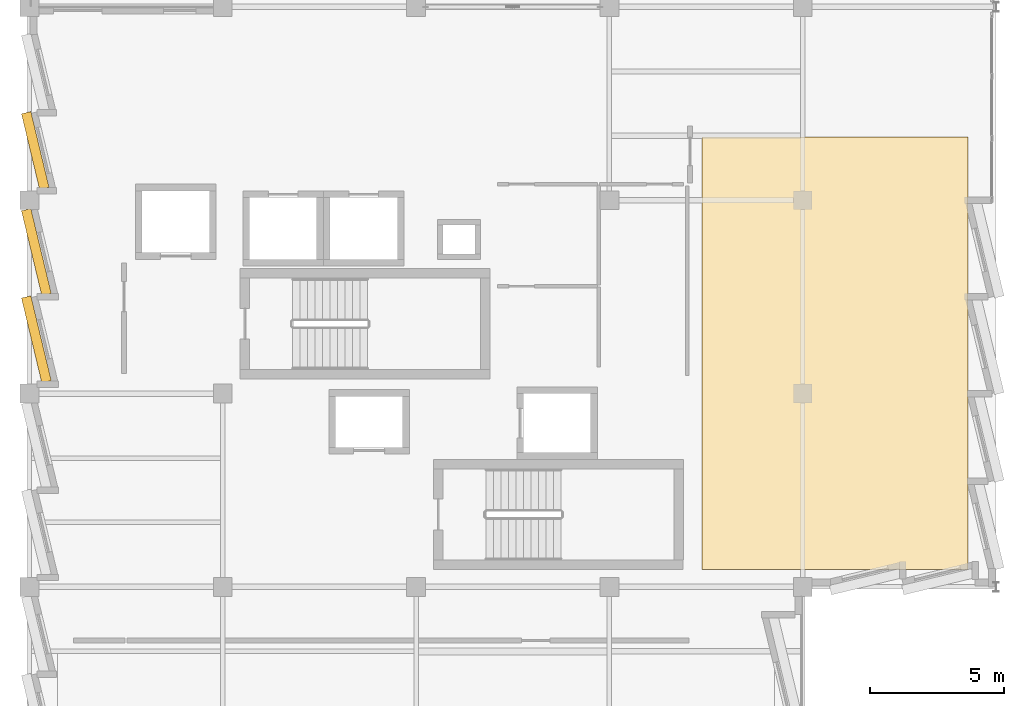
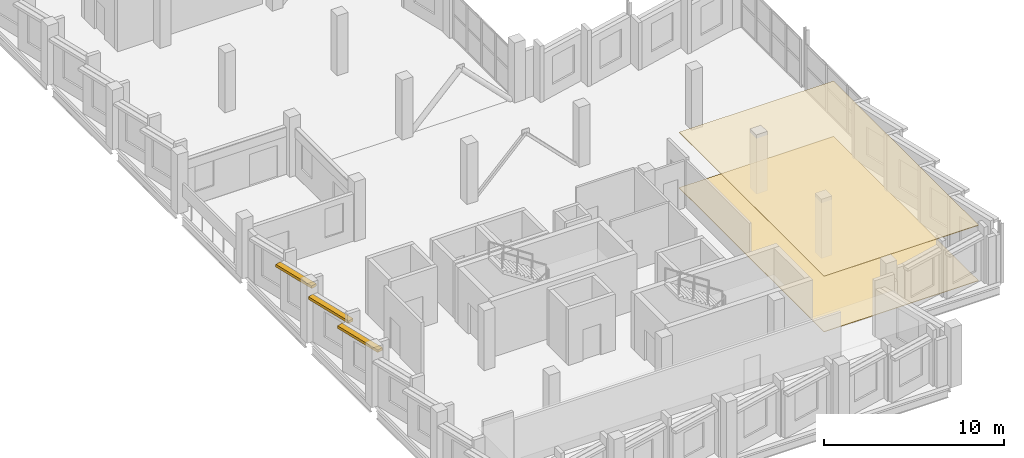
# One storey, part 29 of 33: 3 shading devices, 2 coverings.
"""IFC4 building model written with IfcOpenShell, lengths in metres."""

from ifc_helpers import new_model, si_unit, direction, frame, origin, origin_2d, place, context, subcontext, project, spatial, polyline, rectangle, outline, extrude, material, layer, layer_set, type_object, element, save


model = new_model("IFC4")

# Units and contexts
model_context = context("Model", 3, precision=1e-05, world=origin(), true_north=direction((0.0, 1.0)))
body_context = subcontext(model_context, "Body", "Model", "MODEL_VIEW")
ifc_project = project(units=[si_unit("LENGTHUNIT", "METRE"), si_unit("AREAUNIT", "SQUARE_METRE"), si_unit("VOLUMEUNIT", "CUBIC_METRE"), si_unit("PLANEANGLEUNIT", "RADIAN"), si_unit("MASSUNIT", "GRAM", prefix="KILO")], contexts=[model_context])

# Site, building, storey
site_placement = place(None, origin())
site = spatial("IfcSite", under=ifc_project, at=site_placement, CompositionType="ELEMENT")
building_placement = place(site_placement, origin())
building = spatial("IfcBuilding", under=site, at=building_placement, Name="Kalmorath City Hall", CompositionType="ELEMENT")
storey_placement = place(building_placement, frame((0.0, 0.0, 22.949951171875)))
storey = spatial("IfcBuildingStorey", under=building, at=storey_placement, Name="L05", CompositionType="ELEMENT", Elevation=22.949951171875)

# Coverings
ifc_material_1 = material(Name="Perforated acoustic gypsum ceiling")
ifc_layer_1 = layer(ifc_material_1, 0.0400390625)
ifc_layer_set_1 = layer_set([ifc_layer_1], Name="Perforated acoustic gypsum ceiling")
covering_type_1 = type_object("IfcCoveringType", Name="Perforated acoustic suspended ceiling 40", PredefinedType="CEILING", material=ifc_layer_set_1)
covering_1_placement = place(storey_placement, frame((0.0, 0.0, 3.760009765625)))
element("IfcCovering", 1, at=covering_1_placement, inside=storey, type_object=covering_type_1, Name="L05 Managing Director Cabinet Suite acoustic ceiling", PredefinedType="CEILING", context=body_context, shape_type="SweptSolid", body=[
    extrude(outline(polyline([(34.949951171875, 23.949951171875), (34.949951171875, 7.85009765625), (25.050048828125, 7.85009765625), (25.050048828125, 23.949951171875), (34.949951171875, 23.949951171875)])), origin(), (0.0, 0.0, 1.0), 0.0400390625),
])
ifc_material_2 = material(Name="Polished terrazzo finish")
ifc_layer_2 = layer(ifc_material_2, 0.034912109375)
ifc_layer_set_2 = layer_set([ifc_layer_2], Name="Polished terrazzo finish")
covering_type_2 = type_object("IfcCoveringType", Name="Polished civic terrazzo floor finish 35", PredefinedType="FLOORING", material=ifc_layer_set_2)
covering_2_placement = place(storey_placement, origin())
element("IfcCovering", 2, at=covering_2_placement, inside=storey, type_object=covering_type_2, Name="L05 Managing Director Cabinet Suite terrazzo flooring", PredefinedType="FLOORING", context=body_context, shape_type="SweptSolid", body=[
    extrude(outline(polyline([(34.949951171875, 23.949951171875), (34.949951171875, 7.85009765625), (25.050048828125, 7.85009765625), (25.050048828125, 23.949951171875), (34.949951171875, 23.949951171875)])), origin(), (0.0, 0.0, 1.0), 0.03515625),
])

# Shading devices
ifc_material_3 = material(Name="Precast concrete C40/50", Category="concrete")
ifc_layer_3 = layer(ifc_material_3, 0.179931640625)
ifc_layer_set_3 = layer_set([ifc_layer_3], Name="Precast concrete C40/50")
shading_device_type = type_object("IfcShadingDeviceType", Name="Precast sawtooth brow sunshade 350", PredefinedType="USERDEFINED", material=ifc_layer_set_3)
for number, where, z_axis, x_axis, name in (
    (3, (0.2587890625, 16.421630859375, 3.005859375), (0.0, 0.0, 1.0), (-0.233445363856, 0.972369920398, 0.0), "L05 precast sawtooth hood #445"),
    (4, (0.2587890625, 19.670654296875, 3.005859375), (0.0, 0.0, 1.0), (-0.233445363856, 0.972369920398, 0.0), "L05 precast sawtooth hood #446"),
):
    element("IfcShadingDevice", number, at=place(storey_placement, frame(where, z_axis=z_axis, x_axis=x_axis)), inside=storey, type_object=shading_device_type, Name=name, ObjectType="SUNSHADE", PredefinedType="USERDEFINED", context=body_context, shape_type="SweptSolid", body=[
        extrude(rectangle(XDim=3.246337890625, YDim=0.360107421875, at=origin_2d()), origin(), (0.0, 0.0, 1.0), 0.179931640625),
    ])
shading_device_placement = place(storey_placement, frame((0.218017578125, 23.45166015625, 3.005859375), z_axis=(0.0, 0.0, 1.0), x_axis=(-0.233445363856, 0.972369920398, 0.0)))
element("IfcShadingDevice", 5, at=shading_device_placement, inside=storey, type_object=shading_device_type, Name="L05 precast sawtooth hood #447", ObjectType="SUNSHADE", PredefinedType="USERDEFINED", context=body_context, shape_type="SweptSolid", body=[
    extrude(rectangle(XDim=2.896728515625, YDim=0.360107421875, at=origin_2d()), origin(), (0.0, 0.0, 1.0), 0.179931640625),
])

save(model, "model.ifc")
